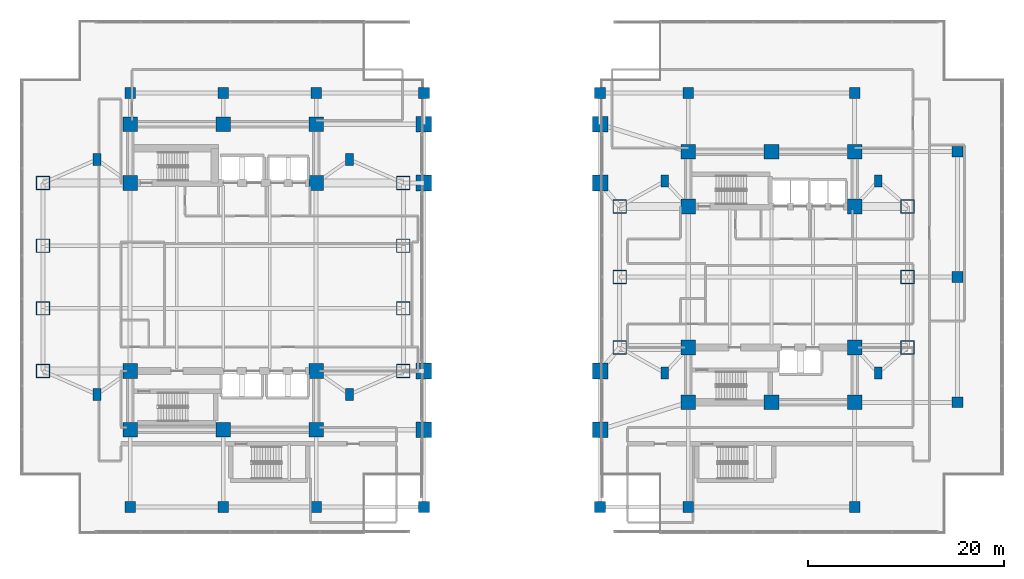
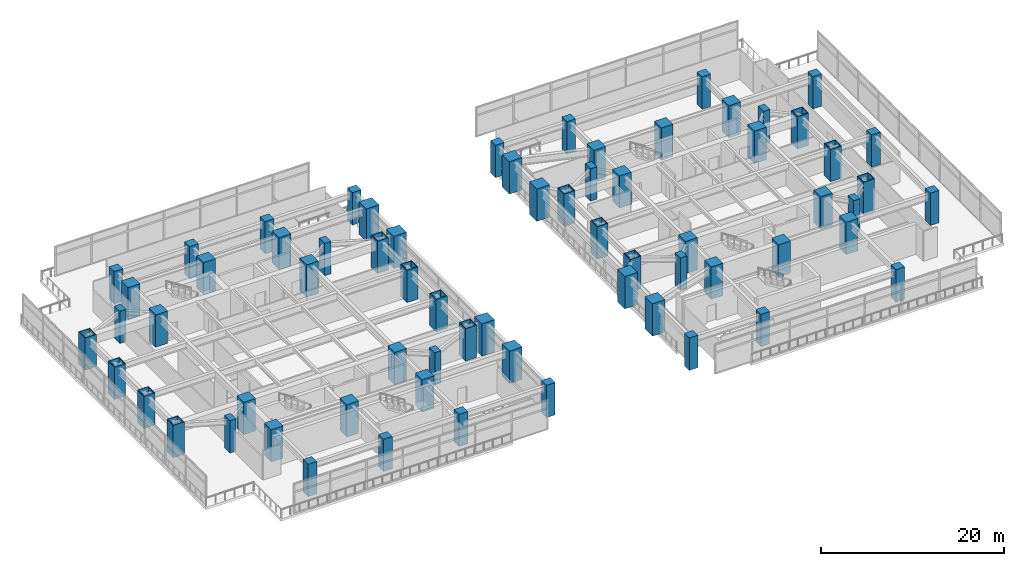
# One storey, part 1 of 31: 67 columns.
"""IFC4 building model written with IfcOpenShell, lengths in metres."""

from ifc_helpers import new_model, si_unit, direction, frame, origin, origin_2d, place, context, subcontext, project, spatial, rectangle, hollow_rectangle, extrude, material, material_profile, profile_set, type_object, element, save


model = new_model("IFC4")

# Units and contexts
model_context = context("Model", 3, precision=1e-05, world=origin(), true_north=direction((0.0, 1.0)))
body_context = subcontext(model_context, "Body", "Model", "MODEL_VIEW")
ifc_project = project(units=[si_unit("LENGTHUNIT", "METRE"), si_unit("AREAUNIT", "SQUARE_METRE"), si_unit("VOLUMEUNIT", "CUBIC_METRE"), si_unit("PLANEANGLEUNIT", "RADIAN"), si_unit("MASSUNIT", "GRAM", prefix="KILO")], contexts=[model_context])

# Site, building, storey
site_placement = place(None, origin())
site = spatial("IfcSite", under=ifc_project, at=site_placement, CompositionType="ELEMENT")
building_placement = place(site_placement, origin())
building = spatial("IfcBuilding", under=site, at=building_placement, Name="Mirazonda Arch Towers", CompositionType="ELEMENT")
storey_placement = place(building_placement, frame((0.0, 0.0, 5.199951171875)))
storey = spatial("IfcBuildingStorey", under=building, at=storey_placement, Name="L01", CompositionType="ELEMENT", Elevation=5.199951171875)

# Columns
ifc_material_1 = material(Name="Concrete C50/60", Category="concrete")
ifc_material_profile_1 = material_profile(ifc_material_1, rectangle(XDim=1.10009765625, YDim=1.10009765625, at=origin_2d()), Name="RC1100x1100")
ifc_profile_set_1 = profile_set([ifc_material_profile_1], Name="Concrete C50/60")
column_type_1 = type_object("IfcColumnType", Name="COL-INT-RC1100x1100", PredefinedType="COLUMN", material=ifc_profile_set_1)
for number, where, z_axis, x_axis, name in (
    (1, (11.0, 4.5, 0.0), (0.0, 0.0, 1.0), (1.0, 0.0, 0.0), "L01 Podium Column 01"),
    (2, (20.5, 4.5, 0.0), (0.0, 0.0, 1.0), (1.0, 0.0, 0.0), "L01 Podium Column 02"),
    (3, (30.0, 4.5, 0.0), (0.0, 0.0, 1.0), (1.0, 0.0, 0.0), "L01 Podium Column 03"),
    (4, (41.0, 4.5, 0.0), (0.0, 0.0, 1.0), (1.0, 0.0, 0.0), "L01 Podium Column 04"),
    (5, (59.0, 4.5, 0.0), (0.0, 0.0, 1.0), (1.0, 0.0, 0.0), "L01 Podium Column 05"),
    (6, (68.0, 4.5, 0.0), (0.0, 0.0, 1.0), (1.0, 0.0, 0.0), "L01 Podium Column 06"),
    (7, (85.0, 4.5, 0.0), (0.0, 0.0, 1.0), (1.0, 0.0, 0.0), "L01 Podium Column 07"),
    (8, (11.0, 46.800048828125, 0.0), (0.0, 0.0, 1.0), (1.0, 0.0, 0.0), "L01 Podium Column 08"),
    (9, (20.5, 46.800048828125, 0.0), (0.0, 0.0, 1.0), (1.0, 0.0, 0.0), "L01 Podium Column 09"),
    (10, (30.0, 46.800048828125, 0.0), (0.0, 0.0, 1.0), (1.0, 0.0, 0.0), "L01 Podium Column 10"),
    (11, (41.0, 46.800048828125, 0.0), (0.0, 0.0, 1.0), (1.0, 0.0, 0.0), "L01 Podium Column 11"),
    (12, (59.0, 46.800048828125, 0.0), (0.0, 0.0, 1.0), (1.0, 0.0, 0.0), "L01 Podium Column 12"),
    (13, (68.0, 46.800048828125, 0.0), (0.0, 0.0, 1.0), (1.0, 0.0, 0.0), "L01 Podium Column 13"),
    (14, (85.0, 46.800048828125, 0.0), (0.0, 0.0, 1.0), (1.0, 0.0, 0.0), "L01 Podium Column 14"),
    (15, (95.5, 15.199951171875, 0.0), (0.0, 0.0, 1.0), (1.0, 0.0, 0.0), "L01 Podium Column 15"),
    (16, (95.5, 28.0, 0.0), (0.0, 0.0, 1.0), (1.0, 0.0, 0.0), "L01 Podium Column 16"),
    (17, (95.5, 40.800048828125, 0.0), (0.0, 0.0, 1.0), (1.0, 0.0, 0.0), "L01 Podium Column 17"),
):
    element("IfcColumn", number, at=place(storey_placement, frame(where, z_axis=z_axis, x_axis=x_axis)), inside=storey, type_object=column_type_1, Name=name, PredefinedType="COLUMN", context=body_context, shape_type="SweptSolid", body=[
        extrude(rectangle(XDim=1.10009765625, YDim=1.10009765625, at=origin_2d()), origin(), (0.0, 0.0, 1.0), 4.300048828125),
    ])
ifc_material_2 = material(Name="Concrete C60/75", Category="concrete")
ifc_material_profile_2 = material_profile(ifc_material_2, rectangle(XDim=1.5, YDim=1.5, at=origin_2d()), Name="RC1500x1500")
ifc_profile_set_2 = profile_set([ifc_material_profile_2], Name="Concrete C60/75")
column_type_2 = type_object("IfcColumnType", Name="COL-INT-RC1500x1500", PredefinedType="COLUMN", material=ifc_profile_set_2)
for number, where, z_axis, x_axis, name in (
    (18, (11.0, 12.39990234375, 0.0), (0.0, 0.0, 1.0), (1.0, 0.0, 0.0), "L01 T1 Core Column 01"),
    (19, (20.5, 12.39990234375, 0.0), (0.0, 0.0, 1.0), (1.0, 0.0, 0.0), "L01 T1 Core Column 02"),
    (20, (30.0, 12.39990234375, 0.0), (0.0, 0.0, 1.0), (1.0, 0.0, 0.0), "L01 T1 Core Column 03"),
    (21, (11.0, 18.39990234375, 0.0), (0.0, 0.0, 1.0), (1.0, 0.0, 0.0), "L01 T1 Core Column 04"),
    (22, (30.0, 18.39990234375, 0.0), (0.0, 0.0, 1.0), (1.0, 0.0, 0.0), "L01 T1 Core Column 05"),
    (23, (11.0, 37.60009765625, 0.0), (0.0, 0.0, 1.0), (1.0, 0.0, 0.0), "L01 T1 Core Column 06"),
    (24, (30.0, 37.60009765625, 0.0), (0.0, 0.0, 1.0), (1.0, 0.0, 0.0), "L01 T1 Core Column 07"),
    (25, (11.0, 43.60009765625, 0.0), (0.0, 0.0, 1.0), (1.0, 0.0, 0.0), "L01 T1 Core Column 08"),
    (26, (20.5, 43.60009765625, 0.0), (0.0, 0.0, 1.0), (1.0, 0.0, 0.0), "L01 T1 Core Column 09"),
    (27, (30.0, 43.60009765625, 0.0), (0.0, 0.0, 1.0), (1.0, 0.0, 0.0), "L01 T1 Core Column 10"),
    (28, (68.0, 15.199951171875, 0.0), (0.0, 0.0, 1.0), (1.0, 0.0, 0.0), "L01 T2 Core Column 01"),
    (29, (76.5, 15.199951171875, 0.0), (0.0, 0.0, 1.0), (1.0, 0.0, 0.0), "L01 T2 Core Column 02"),
    (30, (85.0, 15.199951171875, 0.0), (0.0, 0.0, 1.0), (1.0, 0.0, 0.0), "L01 T2 Core Column 03"),
    (31, (68.0, 20.800048828125, 0.0), (0.0, 0.0, 1.0), (1.0, 0.0, 0.0), "L01 T2 Core Column 04"),
    (32, (85.0, 20.800048828125, 0.0), (0.0, 0.0, 1.0), (1.0, 0.0, 0.0), "L01 T2 Core Column 05"),
    (33, (68.0, 35.199951171875, 0.0), (0.0, 0.0, 1.0), (1.0, 0.0, 0.0), "L01 T2 Core Column 06"),
    (34, (85.0, 35.199951171875, 0.0), (0.0, 0.0, 1.0), (1.0, 0.0, 0.0), "L01 T2 Core Column 07"),
    (35, (68.0, 40.800048828125, 0.0), (0.0, 0.0, 1.0), (1.0, 0.0, 0.0), "L01 T2 Core Column 08"),
    (36, (76.5, 40.800048828125, 0.0), (0.0, 0.0, 1.0), (1.0, 0.0, 0.0), "L01 T2 Core Column 09"),
    (37, (85.0, 40.800048828125, 0.0), (0.0, 0.0, 1.0), (1.0, 0.0, 0.0), "L01 T2 Core Column 10"),
):
    element("IfcColumn", number, at=place(storey_placement, frame(where, z_axis=z_axis, x_axis=x_axis)), inside=storey, type_object=column_type_2, Name=name, PredefinedType="COLUMN", context=body_context, shape_type="SweptSolid", body=[
        extrude(rectangle(XDim=1.5, YDim=1.5, at=origin_2d()), origin(), (0.0, 0.0, 1.0), 4.300048828125),
    ])
ifc_material_profile_3 = material_profile(ifc_material_2, rectangle(XDim=1.60009765625, YDim=1.60009765625, at=origin_2d()), Name="RC1600x1600")
ifc_profile_set_3 = profile_set([ifc_material_profile_3], Name="Concrete C60/75")
column_type_3 = type_object("IfcColumnType", Name="COL-INT-RC1600x1600", PredefinedType="COLUMN", material=ifc_profile_set_3)
for number, where, z_axis, x_axis, name in (
    (38, (41.0, 12.39990234375, 0.0), (0.0, 0.0, 1.0), (1.0, 0.0, 0.0), "L01 Arch Springing Pier 01"),
    (39, (41.0, 18.39990234375, 0.0), (0.0, 0.0, 1.0), (1.0, 0.0, 0.0), "L01 Arch Springing Pier 02"),
    (40, (41.0, 37.60009765625, 0.0), (0.0, 0.0, 1.0), (1.0, 0.0, 0.0), "L01 Arch Springing Pier 03"),
    (41, (41.0, 43.60009765625, 0.0), (0.0, 0.0, 1.0), (1.0, 0.0, 0.0), "L01 Arch Springing Pier 04"),
    (42, (59.0, 12.39990234375, 0.0), (0.0, 0.0, 1.0), (1.0, 0.0, 0.0), "L01 Arch Springing Pier 05"),
    (43, (59.0, 18.39990234375, 0.0), (0.0, 0.0, 1.0), (1.0, 0.0, 0.0), "L01 Arch Springing Pier 06"),
    (44, (59.0, 37.60009765625, 0.0), (0.0, 0.0, 1.0), (1.0, 0.0, 0.0), "L01 Arch Springing Pier 07"),
    (45, (59.0, 43.60009765625, 0.0), (0.0, 0.0, 1.0), (1.0, 0.0, 0.0), "L01 Arch Springing Pier 08"),
):
    element("IfcColumn", number, at=place(storey_placement, frame(where, z_axis=z_axis, x_axis=x_axis)), inside=storey, type_object=column_type_3, Name=name, PredefinedType="COLUMN", context=body_context, shape_type="SweptSolid", body=[
        extrude(rectangle(XDim=1.60009765625, YDim=1.60009765625, at=origin_2d()), origin(), (0.0, 0.0, 1.0), 4.300048828125),
    ])
ifc_material_3 = material(Name="Steel ASTM A572 Grade 50", Category="steel")
ifc_material_profile_4 = material_profile(ifc_material_3, hollow_rectangle(XDim=1.39990234375, YDim=1.39990234375, WallThickness=0.080078125, at=origin_2d()), Name="BOX1400x1400x80")
ifc_profile_set_4 = profile_set([ifc_material_profile_4], Name="Steel ASTM A572 Grade 50")
column_type_4 = type_object("IfcColumnType", Name="MCOL-EXT-BOX1400x1400x80", PredefinedType="COLUMN", material=ifc_profile_set_4)
for number, where, z_axis, x_axis, name in (
    (46, (2.10009765625, 18.39990234375, 0.0), (0.0, 0.0, 1.0), (1.0, 0.0, 0.0), "L01 T1 Composite Mega-Column 01"),
    (47, (2.10009765625, 24.800048828125, 0.0), (0.0, 0.0, 1.0), (1.0, 0.0, 0.0), "L01 T1 Composite Mega-Column 02"),
    (48, (2.10009765625, 31.199951171875, 0.0), (0.0, 0.0, 1.0), (1.0, 0.0, 0.0), "L01 T1 Composite Mega-Column 03"),
    (49, (2.10009765625, 37.60009765625, 0.0), (0.0, 0.0, 1.0), (1.0, 0.0, 0.0), "L01 T1 Composite Mega-Column 04"),
    (50, (38.89990234375, 18.39990234375, 0.0), (0.0, 0.0, 1.0), (1.0, 0.0, 0.0), "L01 T1 Composite Mega-Column 05"),
    (51, (38.89990234375, 24.800048828125, 0.0), (0.0, 0.0, 1.0), (1.0, 0.0, 0.0), "L01 T1 Composite Mega-Column 06"),
    (52, (38.89990234375, 31.199951171875, 0.0), (0.0, 0.0, 1.0), (1.0, 0.0, 0.0), "L01 T1 Composite Mega-Column 07"),
    (53, (38.89990234375, 37.60009765625, 0.0), (0.0, 0.0, 1.0), (1.0, 0.0, 0.0), "L01 T1 Composite Mega-Column 08"),
    (54, (61.0, 20.800048828125, 0.0), (0.0, 0.0, 1.0), (1.0, 0.0, 0.0), "L01 T2 Composite Mega-Column 01"),
    (55, (61.0, 28.0, 0.0), (0.0, 0.0, 1.0), (1.0, 0.0, 0.0), "L01 T2 Composite Mega-Column 02"),
    (56, (61.0, 35.199951171875, 0.0), (0.0, 0.0, 1.0), (1.0, 0.0, 0.0), "L01 T2 Composite Mega-Column 03"),
    (57, (90.39990234375, 20.800048828125, 0.0), (0.0, 0.0, 1.0), (1.0, 0.0, 0.0), "L01 T2 Composite Mega-Column 04"),
    (58, (90.39990234375, 28.0, 0.0), (0.0, 0.0, 1.0), (1.0, 0.0, 0.0), "L01 T2 Composite Mega-Column 05"),
    (59, (90.39990234375, 35.199951171875, 0.0), (0.0, 0.0, 1.0), (1.0, 0.0, 0.0), "L01 T2 Composite Mega-Column 06"),
):
    element("IfcColumn", number, at=place(storey_placement, frame(where, z_axis=z_axis, x_axis=x_axis)), inside=storey, type_object=column_type_4, Name=name, PredefinedType="COLUMN", context=body_context, shape_type="SweptSolid", body=[
        extrude(hollow_rectangle(XDim=1.39990234375, YDim=1.39990234375, WallThickness=0.080078125, at=origin_2d()), origin(), (0.0, 0.0, 1.0), 4.300048828125),
    ])
ifc_material_profile_5 = material_profile(ifc_material_2, rectangle(XDim=0.800048828125, YDim=1.199951171875, at=origin_2d()), Name="RC1200x800")
ifc_profile_set_5 = profile_set([ifc_material_profile_5], Name="Concrete C60/75")
column_type_5 = type_object("IfcColumnType", Name="PIL-EXT-RC1200x800", PredefinedType="PILASTER", material=ifc_profile_set_5)
for number, where, z_axis, x_axis, name in (
    (60, (7.60009765625, 16.0, 0.0), (0.0, 0.0, 1.0), (1.0, 0.0, 0.0), "L01 T1 Corner Pilaster 01"),
    (61, (33.39990234375, 16.0, 0.0), (0.0, 0.0, 1.0), (1.0, 0.0, 0.0), "L01 T1 Corner Pilaster 02"),
    (62, (7.60009765625, 40.0, 0.0), (0.0, 0.0, 1.0), (1.0, 0.0, 0.0), "L01 T1 Corner Pilaster 03"),
    (63, (33.39990234375, 40.0, 0.0), (0.0, 0.0, 1.0), (1.0, 0.0, 0.0), "L01 T1 Corner Pilaster 04"),
    (64, (65.60009765625, 18.199951171875, 0.0), (0.0, 0.0, 1.0), (1.0, 0.0, 0.0), "L01 T2 Corner Pilaster 01"),
    (65, (87.39990234375, 18.199951171875, 0.0), (0.0, 0.0, 1.0), (1.0, 0.0, 0.0), "L01 T2 Corner Pilaster 02"),
    (66, (65.60009765625, 37.800048828125, 0.0), (0.0, 0.0, 1.0), (1.0, 0.0, 0.0), "L01 T2 Corner Pilaster 03"),
    (67, (87.39990234375, 37.800048828125, 0.0), (0.0, 0.0, 1.0), (1.0, 0.0, 0.0), "L01 T2 Corner Pilaster 04"),
):
    element("IfcColumn", number, at=place(storey_placement, frame(where, z_axis=z_axis, x_axis=x_axis)), inside=storey, type_object=column_type_5, Name=name, PredefinedType="PILASTER", context=body_context, shape_type="SweptSolid", body=[
        extrude(rectangle(XDim=0.800048828125, YDim=1.199951171875, at=origin_2d()), origin(), (0.0, 0.0, 1.0), 4.300048828125),
    ])

save(model, "model.ifc")
